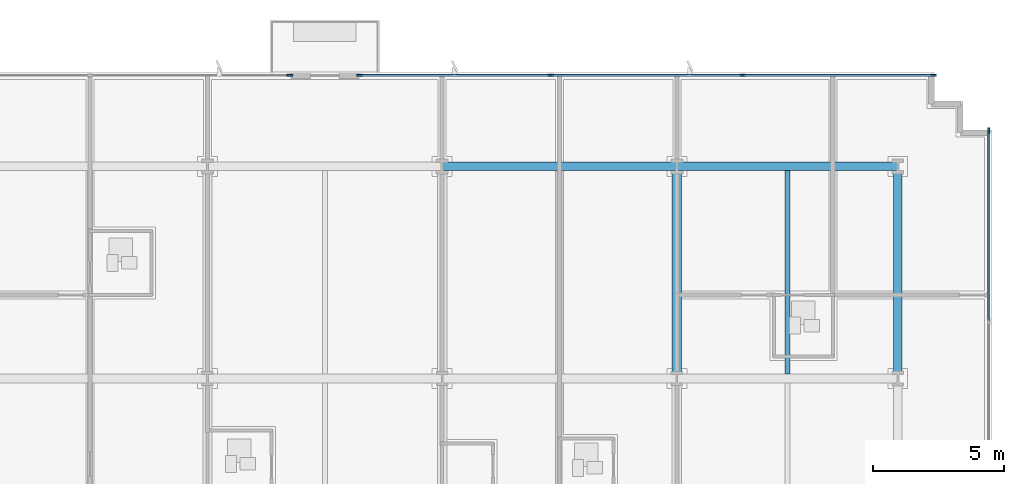
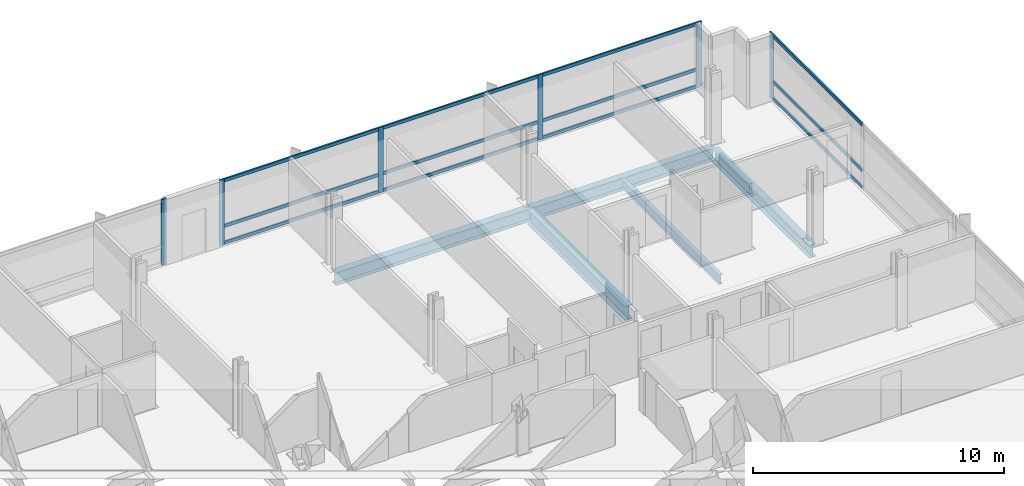
# One storey, part 6 of 17: 18 members, 5 beams, 3 elements without a shape of their own.
"""IFC4 building model written with IfcOpenShell, lengths in metres."""

from ifc_helpers import new_model, si_unit, direction, frame, origin, origin_2d, place, context, subcontext, project, spatial, rectangle, i_section, extrude, material, material_profile, profile_set, type_object, element, aggregate, save


model = new_model("IFC4")

# Units and contexts
model_context = context("Model", 3, precision=1e-05, world=origin(), true_north=direction((0.0, 1.0)))
body_context = subcontext(model_context, "Body", "Model", "MODEL_VIEW")
ifc_project = project(units=[si_unit("LENGTHUNIT", "METRE"), si_unit("AREAUNIT", "SQUARE_METRE"), si_unit("VOLUMEUNIT", "CUBIC_METRE"), si_unit("PLANEANGLEUNIT", "RADIAN"), si_unit("MASSUNIT", "GRAM", prefix="KILO")], contexts=[model_context])

# Site, building, storey
site_placement = place(None, origin())
site = spatial("IfcSite", under=ifc_project, at=site_placement, CompositionType="ELEMENT")
building_placement = place(site_placement, origin())
building = spatial("IfcBuilding", under=site, at=building_placement, Name="Solmavex Isthmus Hotel", CompositionType="ELEMENT")
storey_placement = place(building_placement, frame((0.0, 0.0, 40.199951171875)))
storey = spatial("IfcBuildingStorey", under=building, at=storey_placement, Name="L10", CompositionType="ELEMENT", Elevation=40.199951171875)

# Beams
ifc_material_1 = material(Name="Steel ASTM A992 Grade 50", Category="steel")
ifc_material_profile_1 = material_profile(ifc_material_1, i_section(OverallWidth=0.354736328125, OverallDepth=0.695556640625, WebThickness=0.015380859375, FlangeThickness=0.02490234375, FilletRadius=0.017822265625, at=origin_2d()), Name="W27X146")
ifc_profile_set_1 = profile_set([ifc_material_profile_1], Name="Steel ASTM A992 Grade 50")
beam_type_1 = type_object("IfcBeamType", Name="BM-BG-W27X146", PredefinedType="BEAM", material=ifc_profile_set_1)
beam_1_placement = place(storey_placement, frame((17.951904296875, 8.96533203125, -0.607666015625), z_axis=(0.0, 1.0, 0.0), x_axis=(-1.0, 0.0, 0.0)))
element("IfcBeam", 1, at=beam_1_placement, inside=storey, type_object=beam_type_1, Name="Floor Beam L10-VG45", PredefinedType="BEAM", context=body_context, shape_type="SweptSolid", body=[
    extrude(i_section(OverallWidth=0.354736328125, OverallDepth=0.695556640625, WebThickness=0.015380859375, FlangeThickness=0.02490234375, FilletRadius=0.017822265625, at=origin_2d()), origin(), (0.0, 0.0, 1.0), 7.771484375),
])
ifc_material_profile_2 = material_profile(ifc_material_1, i_section(OverallWidth=0.1904296875, OverallDepth=0.456787109375, WebThickness=0.009033203125, FlangeThickness=0.014404296875, FilletRadius=0.0126953125, at=origin_2d()), Name="W18X50")
ifc_profile_set_2 = profile_set([ifc_material_profile_2], Name="Steel ASTM A992 Grade 50")
beam_type_2 = type_object("IfcBeamType", Name="BM-BJ-W18X50", PredefinedType="JOIST", material=ifc_profile_set_2)
beam_2_placement = place(storey_placement, frame((22.176025390625, 8.96533203125, -0.48828125), z_axis=(0.0, 1.0, 0.0), x_axis=(-1.0, 0.0, 0.0)))
element("IfcBeam", 2, at=beam_2_placement, inside=storey, type_object=beam_type_2, Name="Secondary Floor Joist L10-J22", PredefinedType="JOIST", context=body_context, shape_type="SweptSolid", body=[
    extrude(i_section(OverallWidth=0.1904296875, OverallDepth=0.456787109375, WebThickness=0.009033203125, FlangeThickness=0.014404296875, FilletRadius=0.0126953125, at=origin_2d()), origin(), (0.0, 0.0, 1.0), 7.771484375),
])
ifc_material_profile_3 = material_profile(ifc_material_1, i_section(OverallWidth=0.326416015625, OverallDepth=0.621826171875, WebThickness=0.015380859375, FlangeThickness=0.0244140625, FilletRadius=0.01513671875, at=origin_2d()), Name="W24X131")
ifc_profile_set_3 = profile_set([ifc_material_profile_3], Name="Steel ASTM A992 Grade 50")
beam_type_3 = type_object("IfcBeamType", Name="BM-SP-W24X131", PredefinedType="SPANDREL", material=ifc_profile_set_3)
beam_3_placement = place(storey_placement, frame((8.97607421875, 16.89990234375, -0.57080078125), z_axis=(1.0, 0.0, 0.0), x_axis=(0.0, 1.0, 0.0)))
element("IfcBeam", 3, at=beam_3_placement, inside=storey, type_object=beam_type_3, Name="Floor Girder L10-UG23", PredefinedType="SPANDREL", context=body_context, shape_type="SweptSolid", body=[
    extrude(i_section(OverallWidth=0.326416015625, OverallDepth=0.621826171875, WebThickness=0.015380859375, FlangeThickness=0.0244140625, FilletRadius=0.01513671875, at=origin_2d()), origin(), (0.0, 0.0, 1.0), 8.975830078125),
])
beam_4_placement = place(storey_placement, frame((17.951904296875, 16.89990234375, -0.57080078125), z_axis=(1.0, 0.0, 0.0), x_axis=(0.0, 1.0, 0.0)))
element("IfcBeam", 4, at=beam_4_placement, inside=storey, type_object=beam_type_3, Name="Floor Girder L10-UG24", PredefinedType="SPANDREL", context=body_context, shape_type="SweptSolid", body=[
    extrude(i_section(OverallWidth=0.326416015625, OverallDepth=0.621826171875, WebThickness=0.015380859375, FlangeThickness=0.0244140625, FilletRadius=0.01513671875, at=origin_2d()), origin(), (0.0, 0.0, 1.0), 8.447998046875),
])
beam_5_placement = place(storey_placement, frame((26.39990234375, 8.96533203125, -0.57080078125), z_axis=(0.0, 1.0, 0.0), x_axis=(-1.0, 0.0, 0.0)))
element("IfcBeam", 5, at=beam_5_placement, inside=storey, type_object=beam_type_3, Name="Floor Beam L10-VG48", PredefinedType="SPANDREL", context=body_context, shape_type="SweptSolid", body=[
    extrude(i_section(OverallWidth=0.326416015625, OverallDepth=0.621826171875, WebThickness=0.015380859375, FlangeThickness=0.0244140625, FilletRadius=0.01513671875, at=origin_2d()), origin(), (0.0, 0.0, 1.0), 7.771484375),
])

# Curtain wall, member
ifc_material_2 = material(Name="Aluminium alloy 6063-T6", Category="aluminium")
curtain_wall_type = type_object("IfcCurtainWallType", Name="CW-SYS-02", PredefinedType="NOTDEFINED", material=ifc_material_2)
curtain_wall_1_placement = place(storey_placement, origin())
curtain_wall_1 = element("IfcCurtainWall", 6, at=curtain_wall_1_placement, inside=storey, type_object=curtain_wall_type, Name="Stick Curtain Wall CWL-L10-N2", PredefinedType="NOTDEFINED")
ifc_material_profile_4 = material_profile(ifc_material_2, rectangle(XDim=0.074951171875, YDim=0.219970703125, at=origin_2d()), Name="CWM-75X220")
ifc_profile_set_4 = profile_set([ifc_material_profile_4], Name="Aluminium alloy 6063-T6")
member_type_1 = type_object("IfcMemberType", Name="CW-SYS-02-MUL", PredefinedType="MULLION", material=ifc_profile_set_4)
member_1_placement = place(storey_placement, frame((3.150390625, 20.3798828125, 0.0), z_axis=(0.0, 0.0, 1.0), x_axis=(0.0, 1.0, 0.0)))
member_1 = element("IfcMember", 7, at=member_1_placement, type_object=member_type_1, Name="CW-02 mullion 3", PredefinedType="MULLION", context=body_context, shape_type="SweptSolid", body=[
    extrude(rectangle(XDim=0.074951171875, YDim=0.219970703125, at=origin_2d()), origin(), (0.0, 0.0, 1.0), 3.18994140625),
])
aggregate(curtain_wall_1, [member_1])

# Curtain wall, members
curtain_wall_2_placement = place(storey_placement, origin())
curtain_wall_2 = element("IfcCurtainWall", 8, at=curtain_wall_2_placement, inside=storey, type_object=curtain_wall_type, Name="Stick Curtain Wall CWL-L10-N3", PredefinedType="NOTDEFINED")
member_2_placement = place(storey_placement, frame((5.825439453125, 20.3798828125, 0.0), z_axis=(0.0, 0.0, 1.0), x_axis=(0.0, 1.0, 0.0)))
member_2 = element("IfcMember", 9, at=member_2_placement, type_object=member_type_1, Name="CW-02 mullion 1", PredefinedType="MULLION", context=body_context, shape_type="SweptSolid", body=[
    extrude(rectangle(XDim=0.074951171875, YDim=0.219970703125, at=origin_2d()), origin(), (0.0, 0.0, 1.0), 3.18994140625),
])
member_3_placement = place(storey_placement, frame((13.125244140625, 20.3798828125, 0.0), z_axis=(0.0, 0.0, 1.0), x_axis=(0.0, 1.0, 0.0)))
member_3 = element("IfcMember", 10, at=member_3_placement, type_object=member_type_1, Name="CW-02 mullion 2", PredefinedType="MULLION", context=body_context, shape_type="SweptSolid", body=[
    extrude(rectangle(XDim=0.074951171875, YDim=0.219970703125, at=origin_2d()), origin(), (0.0, 0.0, 1.0), 3.18994140625),
])
member_4_placement = place(storey_placement, frame((20.462646484375, 20.3798828125, 0.0), z_axis=(0.0, 0.0, 1.0), x_axis=(0.0, 1.0, 0.0)))
member_4 = element("IfcMember", 11, at=member_4_placement, type_object=member_type_1, Name="CW-02 mullion 3", PredefinedType="MULLION", context=body_context, shape_type="SweptSolid", body=[
    extrude(rectangle(XDim=0.074951171875, YDim=0.219970703125, at=origin_2d()), origin(), (0.0, 0.0, 1.0), 3.18994140625),
])
member_5_placement = place(storey_placement, frame((27.762451171875, 20.3798828125, 0.0), z_axis=(0.0, 0.0, 1.0), x_axis=(0.0, 1.0, 0.0)))
member_5 = element("IfcMember", 12, at=member_5_placement, type_object=member_type_1, Name="CW-02 mullion 4", PredefinedType="MULLION", context=body_context, shape_type="SweptSolid", body=[
    extrude(rectangle(XDim=0.074951171875, YDim=0.219970703125, at=origin_2d()), origin(), (0.0, 0.0, 1.0), 3.18994140625),
])

# Curtain wall, member
curtain_wall_3_placement = place(storey_placement, origin())
curtain_wall_3 = element("IfcCurtainWall", 13, at=curtain_wall_3_placement, inside=storey, type_object=curtain_wall_type, Name="Stick Curtain Wall CWL-L10-E1", PredefinedType="NOTDEFINED")
member_6_placement = place(storey_placement, frame((29.8798828125, 18.262451171875, 0.0), z_axis=(0.0, 0.0, 1.0), x_axis=(-1.0, 0.0, 0.0)))
member_6 = element("IfcMember", 14, at=member_6_placement, type_object=member_type_1, Name="CW-02 mullion 6", PredefinedType="MULLION", context=body_context, shape_type="SweptSolid", body=[
    extrude(rectangle(XDim=0.074951171875, YDim=0.219970703125, at=origin_2d()), origin(), (0.0, 0.0, 1.0), 3.18994140625),
])

# Member
ifc_material_profile_5 = material_profile(ifc_material_2, rectangle(XDim=0.074951171875, YDim=0.159912109375, at=origin_2d()), Name="CWT-75X160")
ifc_profile_set_5 = profile_set([ifc_material_profile_5], Name="Aluminium alloy 6063-T6")
member_type_2 = type_object("IfcMemberType", Name="CW-SYS-02-TRN", PredefinedType="USERDEFINED", material=ifc_profile_set_5)
member_7_placement = place(storey_placement, frame((5.863037109375, 20.3798828125, 0.080078125), z_axis=(1.0, 0.0, 0.0), x_axis=(0.0, 1.0, 0.0)))
member_7 = element("IfcMember", 15, at=member_7_placement, type_object=member_type_2, Name="CW-02 transom 1.1", ObjectType="TRANSOM", PredefinedType="USERDEFINED", context=body_context, shape_type="SweptSolid", body=[
    extrude(rectangle(XDim=0.074951171875, YDim=0.159912109375, at=origin_2d()), origin(), (0.0, 0.0, 1.0), 7.224853515625),
])

member_8_placement = place(storey_placement, frame((5.863037109375, 20.3798828125, 0.900146484375), z_axis=(1.0, 0.0, 0.0), x_axis=(0.0, 1.0, 0.0)))
member_8 = element("IfcMember", 16, at=member_8_placement, type_object=member_type_2, Name="CW-02 transom 1.2", ObjectType="TRANSOM", PredefinedType="USERDEFINED", context=body_context, shape_type="SweptSolid", body=[
    extrude(rectangle(XDim=0.074951171875, YDim=0.159912109375, at=origin_2d()), origin(), (0.0, 0.0, 1.0), 7.224853515625),
])

member_9_placement = place(storey_placement, frame((5.863037109375, 20.3798828125, 3.110107421875), z_axis=(1.0, 0.0, 0.0), x_axis=(0.0, 1.0, 0.0)))
member_9 = element("IfcMember", 17, at=member_9_placement, type_object=member_type_2, Name="CW-02 transom 1.3", ObjectType="TRANSOM", PredefinedType="USERDEFINED", context=body_context, shape_type="SweptSolid", body=[
    extrude(rectangle(XDim=0.074951171875, YDim=0.159912109375, at=origin_2d()), origin(), (0.0, 0.0, 1.0), 7.224853515625),
])

member_10_placement = place(storey_placement, frame((13.162841796875, 20.3798828125, 0.080078125), z_axis=(1.0, 0.0, 0.0), x_axis=(0.0, 1.0, 0.0)))
member_10 = element("IfcMember", 18, at=member_10_placement, type_object=member_type_2, Name="CW-02 transom 2.1", ObjectType="TRANSOM", PredefinedType="USERDEFINED", context=body_context, shape_type="SweptSolid", body=[
    extrude(rectangle(XDim=0.074951171875, YDim=0.159912109375, at=origin_2d()), origin(), (0.0, 0.0, 1.0), 7.26220703125),
])

member_11_placement = place(storey_placement, frame((13.162841796875, 20.3798828125, 0.900146484375), z_axis=(1.0, 0.0, 0.0), x_axis=(0.0, 1.0, 0.0)))
member_11 = element("IfcMember", 19, at=member_11_placement, type_object=member_type_2, Name="CW-02 transom 2.2", ObjectType="TRANSOM", PredefinedType="USERDEFINED", context=body_context, shape_type="SweptSolid", body=[
    extrude(rectangle(XDim=0.074951171875, YDim=0.159912109375, at=origin_2d()), origin(), (0.0, 0.0, 1.0), 7.26220703125),
])

member_12_placement = place(storey_placement, frame((13.162841796875, 20.3798828125, 3.110107421875), z_axis=(1.0, 0.0, 0.0), x_axis=(0.0, 1.0, 0.0)))
member_12 = element("IfcMember", 20, at=member_12_placement, type_object=member_type_2, Name="CW-02 transom 2.3", ObjectType="TRANSOM", PredefinedType="USERDEFINED", context=body_context, shape_type="SweptSolid", body=[
    extrude(rectangle(XDim=0.074951171875, YDim=0.159912109375, at=origin_2d()), origin(), (0.0, 0.0, 1.0), 7.26220703125),
])

member_13_placement = place(storey_placement, frame((20.500244140625, 20.3798828125, 0.080078125), z_axis=(1.0, 0.0, 0.0), x_axis=(0.0, 1.0, 0.0)))
member_13 = element("IfcMember", 21, at=member_13_placement, type_object=member_type_2, Name="CW-02 transom 3.1", ObjectType="TRANSOM", PredefinedType="USERDEFINED", context=body_context, shape_type="SweptSolid", body=[
    extrude(rectangle(XDim=0.074951171875, YDim=0.159912109375, at=origin_2d()), origin(), (0.0, 0.0, 1.0), 7.224853515625),
])

member_14_placement = place(storey_placement, frame((20.500244140625, 20.3798828125, 0.900146484375), z_axis=(1.0, 0.0, 0.0), x_axis=(0.0, 1.0, 0.0)))
member_14 = element("IfcMember", 22, at=member_14_placement, type_object=member_type_2, Name="CW-02 transom 3.2", ObjectType="TRANSOM", PredefinedType="USERDEFINED", context=body_context, shape_type="SweptSolid", body=[
    extrude(rectangle(XDim=0.074951171875, YDim=0.159912109375, at=origin_2d()), origin(), (0.0, 0.0, 1.0), 7.224853515625),
])

member_15_placement = place(storey_placement, frame((20.500244140625, 20.3798828125, 3.110107421875), z_axis=(1.0, 0.0, 0.0), x_axis=(0.0, 1.0, 0.0)))
member_15 = element("IfcMember", 23, at=member_15_placement, type_object=member_type_2, Name="CW-02 transom 3.3", ObjectType="TRANSOM", PredefinedType="USERDEFINED", context=body_context, shape_type="SweptSolid", body=[
    extrude(rectangle(XDim=0.074951171875, YDim=0.159912109375, at=origin_2d()), origin(), (0.0, 0.0, 1.0), 7.224853515625),
])

aggregate(curtain_wall_2, [member_2, member_3, member_4, member_5, member_7, member_8, member_9, member_10, member_11, member_12, member_13, member_14, member_15])

member_16_placement = place(storey_placement, frame((29.8798828125, 11.017578125, 0.080078125), z_axis=(0.0, 1.0, 0.0), x_axis=(-1.0, 0.0, 0.0)))
member_16 = element("IfcMember", 24, at=member_16_placement, type_object=member_type_2, Name="CW-02 transom 5.1", ObjectType="TRANSOM", PredefinedType="USERDEFINED", context=body_context, shape_type="SweptSolid", body=[
    extrude(rectangle(XDim=0.074951171875, YDim=0.159912109375, at=origin_2d()), origin(), (0.0, 0.0, 1.0), 7.20751953125),
])

member_17_placement = place(storey_placement, frame((29.8798828125, 11.017578125, 0.900146484375), z_axis=(0.0, 1.0, 0.0), x_axis=(-1.0, 0.0, 0.0)))
member_17 = element("IfcMember", 25, at=member_17_placement, type_object=member_type_2, Name="CW-02 transom 5.2", ObjectType="TRANSOM", PredefinedType="USERDEFINED", context=body_context, shape_type="SweptSolid", body=[
    extrude(rectangle(XDim=0.074951171875, YDim=0.159912109375, at=origin_2d()), origin(), (0.0, 0.0, 1.0), 7.20751953125),
])

member_18_placement = place(storey_placement, frame((29.8798828125, 11.017578125, 3.110107421875), z_axis=(0.0, 1.0, 0.0), x_axis=(-1.0, 0.0, 0.0)))
member_18 = element("IfcMember", 26, at=member_18_placement, type_object=member_type_2, Name="CW-02 transom 5.3", ObjectType="TRANSOM", PredefinedType="USERDEFINED", context=body_context, shape_type="SweptSolid", body=[
    extrude(rectangle(XDim=0.074951171875, YDim=0.159912109375, at=origin_2d()), origin(), (0.0, 0.0, 1.0), 7.20751953125),
])

aggregate(curtain_wall_3, [member_6, member_16, member_17, member_18])

save(model, "model.ifc")
